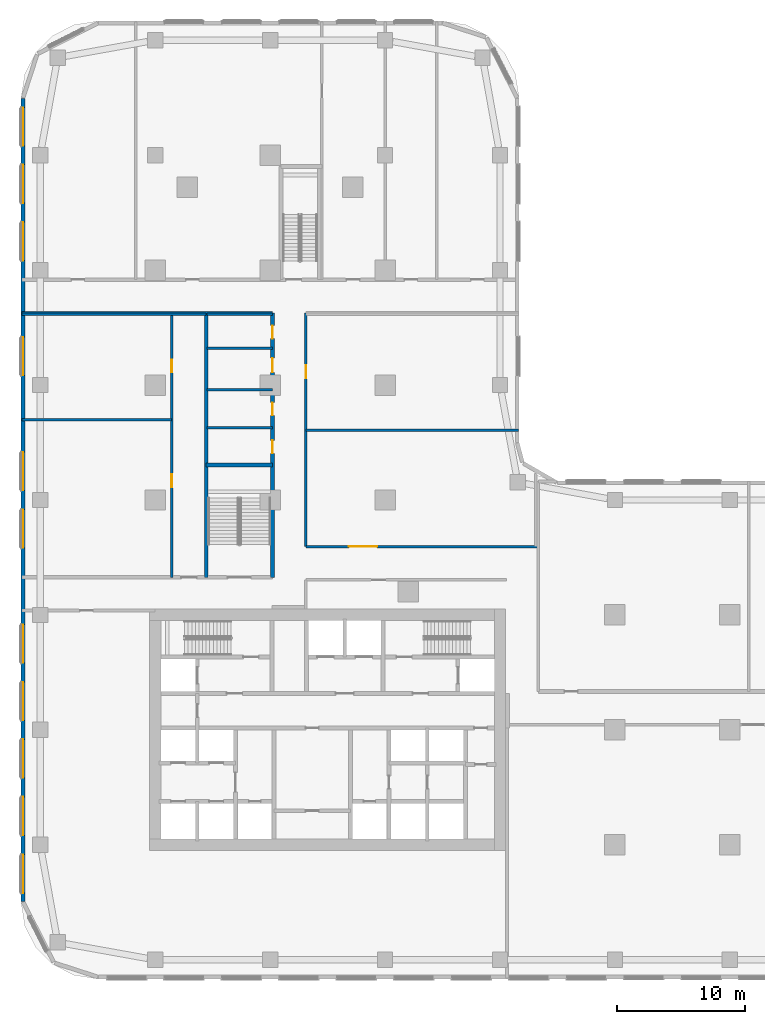
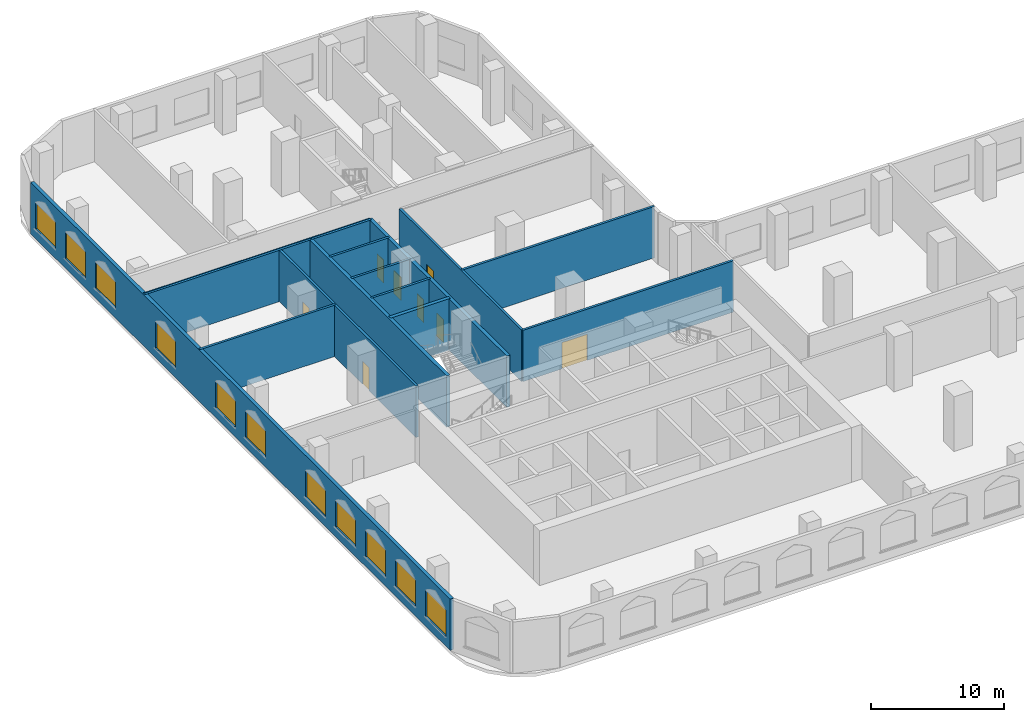
# One storey, part 6 of 31: 15 walls, 11 windows, 8 doors, 19 openings.
"""IFC4 building model written with IfcOpenShell, lengths in metres."""

from ifc_helpers import new_model, si_unit, direction, frame, frame_2d, origin, place, context, subcontext, project, spatial, rectangle, extrude, material, layer, layer_set, type_object, element, fill, save


model = new_model("IFC4")

# Units and contexts
model_context = context("Model", 3, precision=1e-05, world=origin(), true_north=direction((0.0, 1.0)))
body_context = subcontext(model_context, "Body", "Model", "MODEL_VIEW")
ifc_project = project(units=[si_unit("LENGTHUNIT", "METRE"), si_unit("AREAUNIT", "SQUARE_METRE"), si_unit("VOLUMEUNIT", "CUBIC_METRE"), si_unit("PLANEANGLEUNIT", "RADIAN"), si_unit("MASSUNIT", "GRAM", prefix="KILO")], contexts=[model_context])

# Site, building, storey
site_placement = place(None, origin())
site = spatial("IfcSite", under=ifc_project, at=site_placement, CompositionType="ELEMENT")
building_placement = place(site_placement, origin())
building = spatial("IfcBuilding", under=site, at=building_placement, Name="Ogive Portal Towers", CompositionType="ELEMENT")
storey_placement = place(building_placement, frame((0.0, 0.0, 13.5)))
storey = spatial("IfcBuildingStorey", under=building, at=storey_placement, Name="L02", CompositionType="ELEMENT", Elevation=13.5)

# Wall, openings, windows
ifc_material_1 = material(Name="Limestone cladding on lightweight block wall", Category="masonry")
ifc_layer_1 = layer(ifc_material_1, 0.300048828125)
ifc_layer_set_1 = layer_set([ifc_layer_1], Name="EXTERNAL WALL 300 STONE")
wall_type_1 = type_object("IfcWallType", Name="EXTERNAL WALL 300 STONE", PredefinedType="SOLIDWALL", material=ifc_layer_set_1)
wall_1_placement = place(storey_placement, frame((21.14990234375, 79.952392578125, 0.0), z_axis=(0.0, 0.0, 1.0), x_axis=(0.0, -1.0, 0.0)))
wall_1 = element("IfcWall", 1, at=wall_1_placement, inside=storey, type_object=wall_type_1, Name="A:L02:f17:w0", PredefinedType="SOLIDWALL", context=body_context, shape_type="SweptSolid", body=[
    extrude(rectangle(XDim=62.88037109375, YDim=0.300048828125, at=frame_2d((31.440185546875, 0.0))), origin(), (0.0, 0.0, 1.0), 4.699951171875),
])
opening_1_placement = place(wall_1_placement, frame((0.726318359375, 0.0, 0.89990234375)))
opening_1 = element("IfcOpeningElement", 2, at=opening_1_placement, cuts=wall_1, Name="Opening WN3", PredefinedType="OPENING", context=body_context, shape_type="SweptSolid", body=[
    extrude(rectangle(XDim=3.0, YDim=2.39990234375, at=frame_2d((1.5, 1.199951171875))), frame((0.0, 0.16015625, 0.0), z_axis=(0.0, -1.0, 0.0), x_axis=(1.0, 0.0, 0.0)), (0.0, 0.0, 1.0), 0.320068359375),
])
opening_2_placement = place(wall_1_placement, frame((5.202392578125, 0.0, 0.89990234375)))
opening_2 = element("IfcOpeningElement", 3, at=opening_2_placement, cuts=wall_1, Name="Opening WN3", PredefinedType="OPENING", context=body_context, shape_type="SweptSolid", body=[
    extrude(rectangle(XDim=3.0, YDim=2.39990234375, at=frame_2d((1.5, 1.199951171875))), frame((0.0, 0.16015625, 0.0), z_axis=(0.0, -1.0, 0.0), x_axis=(1.0, 0.0, 0.0)), (0.0, 0.0, 1.0), 0.320068359375),
])
opening_3_placement = place(wall_1_placement, frame((9.702392578125, 0.0, 0.89990234375)))
opening_3 = element("IfcOpeningElement", 4, at=opening_3_placement, cuts=wall_1, Name="Opening WN3", PredefinedType="OPENING", context=body_context, shape_type="SweptSolid", body=[
    extrude(rectangle(XDim=3.0, YDim=2.39990234375, at=frame_2d((1.5, 1.199951171875))), frame((0.0, 0.16015625, 0.0), z_axis=(0.0, -1.0, 0.0), x_axis=(1.0, 0.0, 0.0)), (0.0, 0.0, 1.0), 0.320068359375),
])
opening_4_placement = place(wall_1_placement, frame((18.702392578125, 0.0, 0.89990234375)))
opening_4 = element("IfcOpeningElement", 5, at=opening_4_placement, cuts=wall_1, Name="Opening WN3", PredefinedType="OPENING", context=body_context, shape_type="SweptSolid", body=[
    extrude(rectangle(XDim=3.0, YDim=2.39990234375, at=frame_2d((1.5, 1.199951171875))), frame((0.0, 0.16015625, 0.0), z_axis=(0.0, -1.0, 0.0), x_axis=(1.0, 0.0, 0.0)), (0.0, 0.0, 1.0), 0.320068359375),
])
opening_5_placement = place(wall_1_placement, frame((27.702392578125, 0.0, 0.89990234375)))
opening_5 = element("IfcOpeningElement", 6, at=opening_5_placement, cuts=wall_1, Name="Opening WN3", PredefinedType="OPENING", context=body_context, shape_type="SweptSolid", body=[
    extrude(rectangle(XDim=3.0, YDim=2.39990234375, at=frame_2d((1.5, 1.199951171875))), frame((0.0, 0.16015625, 0.0), z_axis=(0.0, -1.0, 0.0), x_axis=(1.0, 0.0, 0.0)), (0.0, 0.0, 1.0), 0.320068359375),
])
opening_6_placement = place(wall_1_placement, frame((32.202392578125, 0.0, 0.89990234375)))
opening_6 = element("IfcOpeningElement", 7, at=opening_6_placement, cuts=wall_1, Name="Opening WN3", PredefinedType="OPENING", context=body_context, shape_type="SweptSolid", body=[
    extrude(rectangle(XDim=3.0, YDim=2.39990234375, at=frame_2d((1.5, 1.199951171875))), frame((0.0, 0.16015625, 0.0), z_axis=(0.0, -1.0, 0.0), x_axis=(1.0, 0.0, 0.0)), (0.0, 0.0, 1.0), 0.320068359375),
])
opening_7_placement = place(wall_1_placement, frame((41.202392578125, 0.0, 0.89990234375)))
opening_7 = element("IfcOpeningElement", 8, at=opening_7_placement, cuts=wall_1, Name="Opening WN3", PredefinedType="OPENING", context=body_context, shape_type="SweptSolid", body=[
    extrude(rectangle(XDim=3.0, YDim=2.39990234375, at=frame_2d((1.5, 1.199951171875))), frame((0.0, 0.16015625, 0.0), z_axis=(0.0, -1.0, 0.0), x_axis=(1.0, 0.0, 0.0)), (0.0, 0.0, 1.0), 0.320068359375),
])
opening_8_placement = place(wall_1_placement, frame((45.702392578125, 0.0, 0.89990234375)))
opening_8 = element("IfcOpeningElement", 9, at=opening_8_placement, cuts=wall_1, Name="Opening WN3", PredefinedType="OPENING", context=body_context, shape_type="SweptSolid", body=[
    extrude(rectangle(XDim=3.0, YDim=2.39990234375, at=frame_2d((1.5, 1.199951171875))), frame((0.0, 0.16015625, 0.0), z_axis=(0.0, -1.0, 0.0), x_axis=(1.0, 0.0, 0.0)), (0.0, 0.0, 1.0), 0.320068359375),
])
opening_9_placement = place(wall_1_placement, frame((50.202392578125, 0.0, 0.89990234375)))
opening_9 = element("IfcOpeningElement", 10, at=opening_9_placement, cuts=wall_1, Name="Opening WN3", PredefinedType="OPENING", context=body_context, shape_type="SweptSolid", body=[
    extrude(rectangle(XDim=3.0, YDim=2.39990234375, at=frame_2d((1.5, 1.199951171875))), frame((0.0, 0.16015625, 0.0), z_axis=(0.0, -1.0, 0.0), x_axis=(1.0, 0.0, 0.0)), (0.0, 0.0, 1.0), 0.320068359375),
])
opening_10_placement = place(wall_1_placement, frame((54.702392578125, 0.0, 0.89990234375)))
opening_10 = element("IfcOpeningElement", 11, at=opening_10_placement, cuts=wall_1, Name="Opening WN3", PredefinedType="OPENING", context=body_context, shape_type="SweptSolid", body=[
    extrude(rectangle(XDim=3.0, YDim=2.39990234375, at=frame_2d((1.5, 1.199951171875))), frame((0.0, 0.16015625, 0.0), z_axis=(0.0, -1.0, 0.0), x_axis=(1.0, 0.0, 0.0)), (0.0, 0.0, 1.0), 0.320068359375),
])
opening_11_placement = place(wall_1_placement, frame((59.226318359375, 0.0, 0.89990234375)))
opening_11 = element("IfcOpeningElement", 12, at=opening_11_placement, cuts=wall_1, Name="Opening WN3", PredefinedType="OPENING", context=body_context, shape_type="SweptSolid", body=[
    extrude(rectangle(XDim=3.0, YDim=2.39990234375, at=frame_2d((1.5, 1.199951171875))), frame((0.0, 0.16015625, 0.0), z_axis=(0.0, -1.0, 0.0), x_axis=(1.0, 0.0, 0.0)), (0.0, 0.0, 1.0), 0.320068359375),
])
ifc_material_2 = material(Name="Glass, clear low-iron insulated glazing", Category="glass")
window_type = type_object("IfcWindowType", Name="WINDOW PODIUM 3000x2400", PartitioningType="SINGLE_PANEL", PredefinedType="WINDOW", material=ifc_material_2)
window_1_placement = place(opening_1_placement, origin())
window_1 = element("IfcWindow", 13, at=window_1_placement, inside=storey, type_object=window_type, Name="A:L02:f17:w0:o0", OverallHeight=2.39990234375, OverallWidth=3.0, PartitioningType="SINGLE_PANEL", PredefinedType="WINDOW", context=body_context, shape_type="SweptSolid", body=[
    extrude(rectangle(XDim=3.0, YDim=2.39990234375, at=frame_2d((1.5, 1.199951171875))), frame((0.0, 0.030029296875, 0.0), z_axis=(0.0, -1.0, 0.0), x_axis=(1.0, 0.0, 0.0)), (0.0, 0.0, 1.0), 0.06005859375),
])
fill(opening_1, window_1)
window_2_placement = place(opening_2_placement, origin())
window_2 = element("IfcWindow", 14, at=window_2_placement, inside=storey, type_object=window_type, Name="A:L02:f17:w0:o1a", OverallHeight=2.39990234375, OverallWidth=3.0, PartitioningType="SINGLE_PANEL", PredefinedType="WINDOW", context=body_context, shape_type="SweptSolid", body=[
    extrude(rectangle(XDim=3.0, YDim=2.39990234375, at=frame_2d((1.5, 1.199951171875))), frame((0.0, 0.030029296875, 0.0), z_axis=(0.0, -1.0, 0.0), x_axis=(1.0, 0.0, 0.0)), (0.0, 0.0, 1.0), 0.06005859375),
])
fill(opening_2, window_2)
window_3_placement = place(opening_3_placement, origin())
window_3 = element("IfcWindow", 15, at=window_3_placement, inside=storey, type_object=window_type, Name="A:L02:f17:w0:o1b", OverallHeight=2.39990234375, OverallWidth=3.0, PartitioningType="SINGLE_PANEL", PredefinedType="WINDOW", context=body_context, shape_type="SweptSolid", body=[
    extrude(rectangle(XDim=3.0, YDim=2.39990234375, at=frame_2d((1.5, 1.199951171875))), frame((0.0, 0.030029296875, 0.0), z_axis=(0.0, -1.0, 0.0), x_axis=(1.0, 0.0, 0.0)), (0.0, 0.0, 1.0), 0.06005859375),
])
fill(opening_3, window_3)
window_4_placement = place(opening_4_placement, origin())
window_4 = element("IfcWindow", 16, at=window_4_placement, inside=storey, type_object=window_type, Name="A:L02:f17:w0:o2b", OverallHeight=2.39990234375, OverallWidth=3.0, PartitioningType="SINGLE_PANEL", PredefinedType="WINDOW", context=body_context, shape_type="SweptSolid", body=[
    extrude(rectangle(XDim=3.0, YDim=2.39990234375, at=frame_2d((1.5, 1.199951171875))), frame((0.0, 0.030029296875, 0.0), z_axis=(0.0, -1.0, 0.0), x_axis=(1.0, 0.0, 0.0)), (0.0, 0.0, 1.0), 0.06005859375),
])
fill(opening_4, window_4)
window_5_placement = place(opening_5_placement, origin())
window_5 = element("IfcWindow", 17, at=window_5_placement, inside=storey, type_object=window_type, Name="A:L02:f17:w0:o3b", OverallHeight=2.39990234375, OverallWidth=3.0, PartitioningType="SINGLE_PANEL", PredefinedType="WINDOW", context=body_context, shape_type="SweptSolid", body=[
    extrude(rectangle(XDim=3.0, YDim=2.39990234375, at=frame_2d((1.5, 1.199951171875))), frame((0.0, 0.030029296875, 0.0), z_axis=(0.0, -1.0, 0.0), x_axis=(1.0, 0.0, 0.0)), (0.0, 0.0, 1.0), 0.06005859375),
])
fill(opening_5, window_5)
window_6_placement = place(opening_6_placement, origin())
window_6 = element("IfcWindow", 18, at=window_6_placement, inside=storey, type_object=window_type, Name="A:L02:f17:w0:o4a", OverallHeight=2.39990234375, OverallWidth=3.0, PartitioningType="SINGLE_PANEL", PredefinedType="WINDOW", context=body_context, shape_type="SweptSolid", body=[
    extrude(rectangle(XDim=3.0, YDim=2.39990234375, at=frame_2d((1.5, 1.199951171875))), frame((0.0, 0.030029296875, 0.0), z_axis=(0.0, -1.0, 0.0), x_axis=(1.0, 0.0, 0.0)), (0.0, 0.0, 1.0), 0.06005859375),
])
fill(opening_6, window_6)
window_7_placement = place(opening_7_placement, origin())
window_7 = element("IfcWindow", 19, at=window_7_placement, inside=storey, type_object=window_type, Name="A:L02:f17:w0:o5a", OverallHeight=2.39990234375, OverallWidth=3.0, PartitioningType="SINGLE_PANEL", PredefinedType="WINDOW", context=body_context, shape_type="SweptSolid", body=[
    extrude(rectangle(XDim=3.0, YDim=2.39990234375, at=frame_2d((1.5, 1.199951171875))), frame((0.0, 0.030029296875, 0.0), z_axis=(0.0, -1.0, 0.0), x_axis=(1.0, 0.0, 0.0)), (0.0, 0.0, 1.0), 0.06005859375),
])
fill(opening_7, window_7)
window_8_placement = place(opening_8_placement, origin())
window_8 = element("IfcWindow", 20, at=window_8_placement, inside=storey, type_object=window_type, Name="A:L02:f17:w0:o5b", OverallHeight=2.39990234375, OverallWidth=3.0, PartitioningType="SINGLE_PANEL", PredefinedType="WINDOW", context=body_context, shape_type="SweptSolid", body=[
    extrude(rectangle(XDim=3.0, YDim=2.39990234375, at=frame_2d((1.5, 1.199951171875))), frame((0.0, 0.030029296875, 0.0), z_axis=(0.0, -1.0, 0.0), x_axis=(1.0, 0.0, 0.0)), (0.0, 0.0, 1.0), 0.06005859375),
])
fill(opening_8, window_8)
window_9_placement = place(opening_9_placement, origin())
window_9 = element("IfcWindow", 21, at=window_9_placement, inside=storey, type_object=window_type, Name="A:L02:f17:w0:o6a", OverallHeight=2.39990234375, OverallWidth=3.0, PartitioningType="SINGLE_PANEL", PredefinedType="WINDOW", context=body_context, shape_type="SweptSolid", body=[
    extrude(rectangle(XDim=3.0, YDim=2.39990234375, at=frame_2d((1.5, 1.199951171875))), frame((0.0, 0.030029296875, 0.0), z_axis=(0.0, -1.0, 0.0), x_axis=(1.0, 0.0, 0.0)), (0.0, 0.0, 1.0), 0.06005859375),
])
fill(opening_9, window_9)
window_10_placement = place(opening_10_placement, origin())
window_10 = element("IfcWindow", 22, at=window_10_placement, inside=storey, type_object=window_type, Name="A:L02:f17:w0:o6b", OverallHeight=2.39990234375, OverallWidth=3.0, PartitioningType="SINGLE_PANEL", PredefinedType="WINDOW", context=body_context, shape_type="SweptSolid", body=[
    extrude(rectangle(XDim=3.0, YDim=2.39990234375, at=frame_2d((1.5, 1.199951171875))), frame((0.0, 0.030029296875, 0.0), z_axis=(0.0, -1.0, 0.0), x_axis=(1.0, 0.0, 0.0)), (0.0, 0.0, 1.0), 0.06005859375),
])
fill(opening_10, window_10)
window_11_placement = place(opening_11_placement, origin())
window_11 = element("IfcWindow", 23, at=window_11_placement, inside=storey, type_object=window_type, Name="A:L02:f17:w0:o7", OverallHeight=2.39990234375, OverallWidth=3.0, PartitioningType="SINGLE_PANEL", PredefinedType="WINDOW", context=body_context, shape_type="SweptSolid", body=[
    extrude(rectangle(XDim=3.0, YDim=2.39990234375, at=frame_2d((1.5, 1.199951171875))), frame((0.0, 0.030029296875, 0.0), z_axis=(0.0, -1.0, 0.0), x_axis=(1.0, 0.0, 0.0)), (0.0, 0.0, 1.0), 0.06005859375),
])
fill(opening_11, window_11)

# Walls
ifc_material_3 = material(Name="Concrete C50/60", Category="concrete")
ifc_layer_2 = layer(ifc_material_3, 0.300048828125)
ifc_layer_set_2 = layer_set([ifc_layer_2], Name="STAIR WALL 300 C50")
wall_type_2 = type_object("IfcWallType", Name="STAIR WALL 300 C50", PredefinedType="SHEAR", material=ifc_layer_set_2)
wall_2_placement = place(storey_placement, frame((35.5, 51.25, 0.0), z_axis=(0.0, 0.0, 1.0), x_axis=(1.0, 0.0, 0.0)))
element("IfcWall", 24, at=wall_2_placement, inside=storey, type_object=wall_type_2, Name="Stair wall ST-P2 L02", PredefinedType="SHEAR", context=body_context, shape_type="SweptSolid", body=[
    extrude(rectangle(XDim=5.199951171875, YDim=0.300048828125, at=frame_2d((2.60009765625, 0.0))), origin(), (0.0, 0.0, 1.0), 4.699951171875),
])
wall_3_placement = place(storey_placement, frame((35.5, 42.449951171875, 0.0), z_axis=(0.0, 0.0, 1.0), x_axis=(0.0, 1.0, 0.0)))
element("IfcWall", 25, at=wall_3_placement, inside=storey, type_object=wall_type_2, Name="Stair wall ST-P2 L02", PredefinedType="SHEAR", context=body_context, shape_type="SweptSolid", body=[
    extrude(rectangle(XDim=20.60009765625, YDim=0.300048828125, at=frame_2d((10.300048828125, 0.0))), origin(), (0.0, 0.0, 1.0), 4.699951171875),
])

# Wall, openings, doors
wall_4_placement = place(storey_placement, frame((40.699951171875, 42.449951171875, 0.0), z_axis=(0.0, 0.0, 1.0), x_axis=(0.0, 1.0, 0.0)))
wall_4 = element("IfcWall", 26, at=wall_4_placement, inside=storey, type_object=wall_type_2, Name="Stair wall ST-P2 L02", PredefinedType="SHEAR", context=body_context, shape_type="SweptSolid", body=[
    extrude(rectangle(XDim=20.699951171875, YDim=0.300048828125, at=frame_2d((10.35009765625, 0.0))), origin(), (0.0, 0.0, 1.0), 4.699951171875),
])
opening_12_placement = place(wall_4_placement, frame((9.7099609375, 0.0, 0.0)))
opening_12 = element("IfcOpeningElement", 27, at=opening_12_placement, cuts=wall_4, Name="Opening P02-020", PredefinedType="OPENING", context=body_context, shape_type="SweptSolid", body=[
    extrude(rectangle(XDim=1.0, YDim=2.10009765625, at=frame_2d((0.5, 1.050048828125))), frame((0.0, 0.16015625, 0.0), z_axis=(0.0, -1.0, 0.0), x_axis=(1.0, 0.0, 0.0)), (0.0, 0.0, 1.0), 0.320068359375),
])
opening_13_placement = place(wall_4_placement, frame((12.673095703125, 0.0, 0.0)))
opening_13 = element("IfcOpeningElement", 28, at=opening_13_placement, cuts=wall_4, Name="Opening P02-021", PredefinedType="OPENING", context=body_context, shape_type="SweptSolid", body=[
    extrude(rectangle(XDim=1.0, YDim=2.10009765625, at=frame_2d((0.5, 1.050048828125))), frame((0.0, 0.16015625, 0.0), z_axis=(0.0, -1.0, 0.0), x_axis=(1.0, 0.0, 0.0)), (0.0, 0.0, 1.0), 0.320068359375),
])
opening_14_placement = place(wall_4_placement, frame((16.050048828125, 0.0, 0.0)))
opening_14 = element("IfcOpeningElement", 29, at=opening_14_placement, cuts=wall_4, Name="Opening P02-022", PredefinedType="OPENING", context=body_context, shape_type="SweptSolid", body=[
    extrude(rectangle(XDim=1.10009765625, YDim=2.10009765625, at=frame_2d((0.550048828125, 1.050048828125))), frame((0.0, 0.16015625, 0.0), z_axis=(0.0, -1.0, 0.0), x_axis=(1.0, 0.0, 0.0)), (0.0, 0.0, 1.0), 0.320068359375),
])
opening_15_placement = place(wall_4_placement, frame((18.694091796875, 0.0, 0.0)))
opening_15 = element("IfcOpeningElement", 30, at=opening_15_placement, cuts=wall_4, Name="Opening P02-023", PredefinedType="OPENING", context=body_context, shape_type="SweptSolid", body=[
    extrude(rectangle(XDim=1.0, YDim=2.10009765625, at=frame_2d((0.5, 1.050048828125))), frame((0.0, 0.16015625, 0.0), z_axis=(0.0, -1.0, 0.0), x_axis=(1.0, 0.0, 0.0)), (0.0, 0.0, 1.0), 0.320068359375),
])
ifc_material_4 = material(Name="Steel fire door", Category="steel")
door_type_1 = type_object("IfcDoorType", Name="DT-ACCESS-1100x2100-FD90S", OperationType="SINGLE_SWING_LEFT", PredefinedType="DOOR", material=ifc_material_4)
door_1_placement = place(opening_14_placement, origin())
door_1 = element("IfcDoor", 31, at=door_1_placement, inside=storey, type_object=door_type_1, Name="Door P02-022", OperationType="SINGLE_SWING_RIGHT", OverallHeight=2.10009765625, OverallWidth=1.10009765625, PredefinedType="DOOR", context=body_context, shape_type="SweptSolid", body=[
    extrude(rectangle(XDim=1.10009765625, YDim=2.10009765625, at=frame_2d((0.550048828125, 1.050048828125))), frame((0.0, 0.02490234375, 0.0), z_axis=(0.0, -1.0, 0.0), x_axis=(1.0, 0.0, 0.0)), (0.0, 0.0, 1.0), 0.050048828125),
])
fill(opening_14, door_1)
door_type_2 = type_object("IfcDoorType", Name="DT-SWING-1000x2100-FD90S", OperationType="SINGLE_SWING_LEFT", PredefinedType="DOOR", material=ifc_material_4)
door_2_placement = place(opening_12_placement, origin())
door_2 = element("IfcDoor", 32, at=door_2_placement, inside=storey, type_object=door_type_2, Name="Door P02-020", OperationType="SINGLE_SWING_RIGHT", OverallHeight=2.10009765625, OverallWidth=1.0, PredefinedType="DOOR", context=body_context, shape_type="SweptSolid", body=[
    extrude(rectangle(XDim=1.0, YDim=2.10009765625, at=frame_2d((0.5, 1.050048828125))), frame((0.0, 0.02490234375, 0.0), z_axis=(0.0, -1.0, 0.0), x_axis=(1.0, 0.0, 0.0)), (0.0, 0.0, 1.0), 0.050048828125),
])
fill(opening_12, door_2)
door_3_placement = place(opening_13_placement, origin())
door_3 = element("IfcDoor", 33, at=door_3_placement, inside=storey, type_object=door_type_2, Name="Door P02-021", OperationType="SINGLE_SWING_LEFT", OverallHeight=2.10009765625, OverallWidth=1.0, PredefinedType="DOOR", context=body_context, shape_type="SweptSolid", body=[
    extrude(rectangle(XDim=1.0, YDim=2.10009765625, at=frame_2d((0.5, 1.050048828125))), frame((0.0, 0.02490234375, 0.0), z_axis=(0.0, -1.0, 0.0), x_axis=(1.0, 0.0, 0.0)), (0.0, 0.0, 1.0), 0.050048828125),
])
fill(opening_13, door_3)
door_4_placement = place(opening_15_placement, origin())
door_4 = element("IfcDoor", 34, at=door_4_placement, inside=storey, type_object=door_type_2, Name="Door P02-023", OperationType="SINGLE_SWING_LEFT", OverallHeight=2.10009765625, OverallWidth=1.0, PredefinedType="DOOR", context=body_context, shape_type="SweptSolid", body=[
    extrude(rectangle(XDim=1.0, YDim=2.10009765625, at=frame_2d((0.5, 1.050048828125))), frame((0.0, 0.02490234375, 0.0), z_axis=(0.0, -1.0, 0.0), x_axis=(1.0, 0.0, 0.0)), (0.0, 0.0, 1.0), 0.050048828125),
])
fill(opening_15, door_4)

# Wall, opening, door
ifc_material_5 = material(Name="Gypsum board partition on steel studs", Category="steel")
ifc_layer_3 = layer(ifc_material_5, 0.199951171875)
ifc_layer_set_3 = layer_set([ifc_layer_3], Name="WT-PART-200-EI 60")
wall_type_3 = type_object("IfcWallType", Name="WT-PART-200-EI 60", PredefinedType="PARTITIONING", material=ifc_layer_set_3)
wall_5_placement = place(storey_placement, frame((43.300048828125, 44.85009765625, 0.0), z_axis=(0.0, 0.0, 1.0), x_axis=(1.0, 0.0, 0.0)))
wall_5 = element("IfcWall", 35, at=wall_5_placement, inside=storey, type_object=wall_type_3, Name="Wall L02:w030", PredefinedType="PARTITIONING", context=body_context, shape_type="SweptSolid", body=[
    extrude(rectangle(XDim=18.199951171875, YDim=0.199951171875, at=frame_2d((9.10009765625, 0.0))), origin(), (0.0, 0.0, 1.0), 4.699951171875),
])
opening_16_placement = place(wall_5_placement, frame((3.376953125, 0.0, 0.0)))
opening_16 = element("IfcOpeningElement", 36, at=opening_16_placement, cuts=wall_5, Name="Opening P02-024", PredefinedType="OPENING", context=body_context, shape_type="SweptSolid", body=[
    extrude(rectangle(XDim=2.199951171875, YDim=2.39990234375, at=frame_2d((1.10009765625, 1.199951171875))), frame((0.0, 0.10986328125, 0.0), z_axis=(0.0, -1.0, 0.0), x_axis=(1.0, 0.0, 0.0)), (0.0, 0.0, 1.0), 0.219970703125),
])
door_type_3 = type_object("IfcDoorType", Name="DT-PLANT-2200x2400-FD60S", OperationType="SINGLE_SWING_LEFT", PredefinedType="DOOR", material=ifc_material_4)
door_5_placement = place(opening_16_placement, origin())
door_5 = element("IfcDoor", 37, at=door_5_placement, inside=storey, type_object=door_type_3, Name="Door P02-024", OperationType="SINGLE_SWING_RIGHT", OverallHeight=2.39990234375, OverallWidth=2.199951171875, PredefinedType="DOOR", context=body_context, shape_type="SweptSolid", body=[
    extrude(rectangle(XDim=2.199951171875, YDim=2.39990234375, at=frame_2d((1.10009765625, 1.199951171875))), frame((0.0, 0.02490234375, 0.0), z_axis=(0.0, -1.0, 0.0), x_axis=(1.0, 0.0, 0.0)), (0.0, 0.0, 1.0), 0.050048828125),
])
fill(opening_16, door_5)

# Walls
wall_6_placement = place(storey_placement, frame((43.300048828125, 53.949951171875, 0.0), z_axis=(0.0, 0.0, 1.0), x_axis=(1.0, 0.0, 0.0)))
element("IfcWall", 38, at=wall_6_placement, inside=storey, type_object=wall_type_3, Name="Wall L02:w033", PredefinedType="PARTITIONING", context=body_context, shape_type="SweptSolid", body=[
    extrude(rectangle(XDim=16.6298828125, YDim=0.199951171875, at=frame_2d((8.31494140625, 0.0))), origin(), (0.0, 0.0, 1.0), 4.699951171875),
])
wall_7_placement = place(storey_placement, frame((35.550048828125, 54.162109375, 0.0), z_axis=(0.0, 0.0, 1.0), x_axis=(1.0, 0.0, 0.0)))
element("IfcWall", 39, at=wall_7_placement, inside=storey, type_object=wall_type_3, Name="Wall L02:w034", PredefinedType="PARTITIONING", context=body_context, shape_type="SweptSolid", body=[
    extrude(rectangle(XDim=5.14990234375, YDim=0.199951171875, at=frame_2d((2.574951171875, 0.0))), origin(), (0.0, 0.0, 1.0), 4.699951171875),
])
wall_8_placement = place(storey_placement, frame((21.070068359375, 54.77001953125, 0.0), z_axis=(0.0, 0.0, 1.0), x_axis=(1.0, 0.0, 0.0)))
element("IfcWall", 40, at=wall_8_placement, inside=storey, type_object=wall_type_3, Name="Wall L02:w035", PredefinedType="PARTITIONING", context=body_context, shape_type="SweptSolid", body=[
    extrude(rectangle(XDim=11.72998046875, YDim=0.199951171875, at=frame_2d((5.864990234375, 0.0))), origin(), (0.0, 0.0, 1.0), 4.699951171875),
])
for number, where, z_axis, x_axis, name in (
    (41, (35.550048828125, 57.125, 0.0), (0.0, 0.0, 1.0), (1.0, 0.0, 0.0), "Wall L02:w036"),
    (42, (35.550048828125, 60.364013671875, 0.0), (0.0, 0.0, 1.0), (1.0, 0.0, 0.0), "Wall L02:w037"),
):
    element("IfcWall", number, at=place(storey_placement, frame(where, z_axis=z_axis, x_axis=x_axis)), inside=storey, type_object=wall_type_3, Name=name, PredefinedType="PARTITIONING", context=body_context, shape_type="SweptSolid", body=[
        extrude(rectangle(XDim=5.14990234375, YDim=0.199951171875, at=frame_2d((2.574951171875, 0.0))), origin(), (0.0, 0.0, 1.0), 4.699951171875),
    ])
wall_9_placement = place(storey_placement, frame((21.070068359375, 63.050048828125, 0.0), z_axis=(0.0, 0.0, 1.0), x_axis=(1.0, 0.0, 0.0)))
element("IfcWall", 43, at=wall_9_placement, inside=storey, type_object=wall_type_3, Name="Wall L02:w038", PredefinedType="PARTITIONING", context=body_context, shape_type="SweptSolid", body=[
    extrude(rectangle(XDim=14.429931640625, YDim=0.199951171875, at=frame_2d((7.21484375, 0.0))), origin(), (0.0, 0.0, 1.0), 4.699951171875),
])
wall_10_placement = place(storey_placement, frame((35.550048828125, 63.050048828125, 0.0), z_axis=(0.0, 0.0, 1.0), x_axis=(1.0, 0.0, 0.0)))
element("IfcWall", 44, at=wall_10_placement, inside=storey, type_object=wall_type_3, Name="Wall L02:w039", PredefinedType="PARTITIONING", context=body_context, shape_type="SweptSolid", body=[
    extrude(rectangle(XDim=5.14990234375, YDim=0.199951171875, at=frame_2d((2.574951171875, 0.0))), origin(), (0.0, 0.0, 1.0), 4.699951171875),
])
wall_11_placement = place(storey_placement, frame((21.070068359375, 63.14990234375, 0.0), z_axis=(0.0, 0.0, 1.0), x_axis=(1.0, 0.0, 0.0)))
element("IfcWall", 45, at=wall_11_placement, inside=storey, type_object=wall_type_3, Name="Wall L02:w041", PredefinedType="PARTITIONING", context=body_context, shape_type="SweptSolid", body=[
    extrude(rectangle(XDim=19.6298828125, YDim=0.199951171875, at=frame_2d((9.81494140625, 0.0))), origin(), (0.0, 0.0, 1.0), 4.699951171875),
])

# Wall, openings, doors
wall_12_placement = place(storey_placement, frame((32.800048828125, 42.449951171875, 0.0), z_axis=(0.0, 0.0, 1.0), x_axis=(0.0, 1.0, 0.0)))
wall_12 = element("IfcWall", 46, at=wall_12_placement, inside=storey, type_object=wall_type_3, Name="Wall L02:w064", PredefinedType="PARTITIONING", context=body_context, shape_type="SweptSolid", body=[
    extrude(rectangle(XDim=20.60009765625, YDim=0.199951171875, at=frame_2d((10.300048828125, 0.0))), origin(), (0.0, 0.0, 1.0), 4.699951171875),
])
opening_17_placement = place(wall_12_placement, frame((7.050048828125, 0.0, 0.0)))
opening_17 = element("IfcOpeningElement", 47, at=opening_17_placement, cuts=wall_12, Name="Opening P02-018", PredefinedType="OPENING", context=body_context, shape_type="SweptSolid", body=[
    extrude(rectangle(XDim=1.0, YDim=2.10009765625, at=frame_2d((0.5, 1.050048828125))), frame((0.0, 0.10986328125, 0.0), z_axis=(0.0, -1.0, 0.0), x_axis=(1.0, 0.0, 0.0)), (0.0, 0.0, 1.0), 0.219970703125),
])
opening_18_placement = place(wall_12_placement, frame((16.050048828125, 0.0, 0.0)))
opening_18 = element("IfcOpeningElement", 48, at=opening_18_placement, cuts=wall_12, Name="Opening P02-019", PredefinedType="OPENING", context=body_context, shape_type="SweptSolid", body=[
    extrude(rectangle(XDim=1.0, YDim=2.10009765625, at=frame_2d((0.5, 1.050048828125))), frame((0.0, 0.10986328125, 0.0), z_axis=(0.0, -1.0, 0.0), x_axis=(1.0, 0.0, 0.0)), (0.0, 0.0, 1.0), 0.219970703125),
])
door_type_4 = type_object("IfcDoorType", Name="DT-SWING-1000x2100-FD60S", OperationType="SINGLE_SWING_LEFT", PredefinedType="DOOR", material=ifc_material_4)
door_6_placement = place(opening_17_placement, origin())
door_6 = element("IfcDoor", 49, at=door_6_placement, inside=storey, type_object=door_type_4, Name="Door P02-018", OperationType="SINGLE_SWING_RIGHT", OverallHeight=2.10009765625, OverallWidth=1.0, PredefinedType="DOOR", context=body_context, shape_type="SweptSolid", body=[
    extrude(rectangle(XDim=1.0, YDim=2.10009765625, at=frame_2d((0.5, 1.050048828125))), frame((0.0, 0.02490234375, 0.0), z_axis=(0.0, -1.0, 0.0), x_axis=(1.0, 0.0, 0.0)), (0.0, 0.0, 1.0), 0.050048828125),
])
fill(opening_17, door_6)
door_7_placement = place(opening_18_placement, origin())
door_7 = element("IfcDoor", 50, at=door_7_placement, inside=storey, type_object=door_type_4, Name="Door P02-019", OperationType="SINGLE_SWING_LEFT", OverallHeight=2.10009765625, OverallWidth=1.0, PredefinedType="DOOR", context=body_context, shape_type="SweptSolid", body=[
    extrude(rectangle(XDim=1.0, YDim=2.10009765625, at=frame_2d((0.5, 1.050048828125))), frame((0.0, 0.02490234375, 0.0), z_axis=(0.0, -1.0, 0.0), x_axis=(1.0, 0.0, 0.0)), (0.0, 0.0, 1.0), 0.050048828125),
])
fill(opening_18, door_7)

# Wall, opening, door
wall_13_placement = place(storey_placement, frame((43.300048828125, 44.85009765625, 0.0), z_axis=(0.0, 0.0, 1.0), x_axis=(0.0, 1.0, 0.0)))
wall_13 = element("IfcWall", 51, at=wall_13_placement, inside=storey, type_object=wall_type_3, Name="Wall L02:w069", PredefinedType="PARTITIONING", context=body_context, shape_type="SweptSolid", body=[
    extrude(rectangle(XDim=18.2998046875, YDim=0.199951171875, at=frame_2d((9.14990234375, 0.0))), origin(), (0.0, 0.0, 1.0), 4.699951171875),
])
opening_19_placement = place(wall_13_placement, frame((13.199951171875, 0.0, 0.0)))
opening_19 = element("IfcOpeningElement", 52, at=opening_19_placement, cuts=wall_13, Name="Opening P02-025", PredefinedType="OPENING", context=body_context, shape_type="SweptSolid", body=[
    extrude(rectangle(XDim=1.0, YDim=2.10009765625, at=frame_2d((0.5, 1.050048828125))), frame((0.0, 0.10986328125, 0.0), z_axis=(0.0, -1.0, 0.0), x_axis=(1.0, 0.0, 0.0)), (0.0, 0.0, 1.0), 0.219970703125),
])
door_8_placement = place(opening_19_placement, origin())
door_8 = element("IfcDoor", 53, at=door_8_placement, inside=storey, type_object=door_type_4, Name="Door P02-025", OperationType="SINGLE_SWING_LEFT", OverallHeight=2.10009765625, OverallWidth=1.0, PredefinedType="DOOR", context=body_context, shape_type="SweptSolid", body=[
    extrude(rectangle(XDim=1.0, YDim=2.10009765625, at=frame_2d((0.5, 1.050048828125))), frame((0.0, 0.02490234375, 0.0), z_axis=(0.0, -1.0, 0.0), x_axis=(1.0, 0.0, 0.0)), (0.0, 0.0, 1.0), 0.050048828125),
])
fill(opening_19, door_8)

save(model, "model.ifc")
